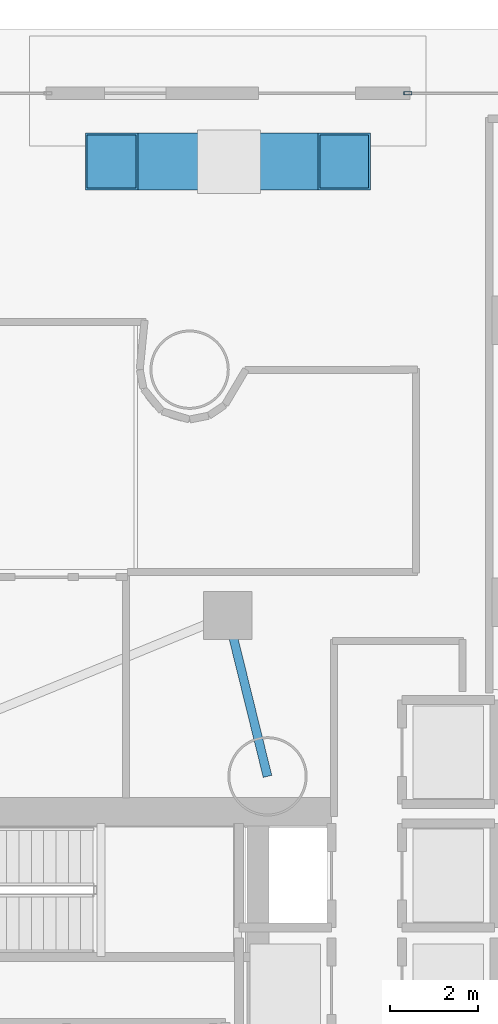
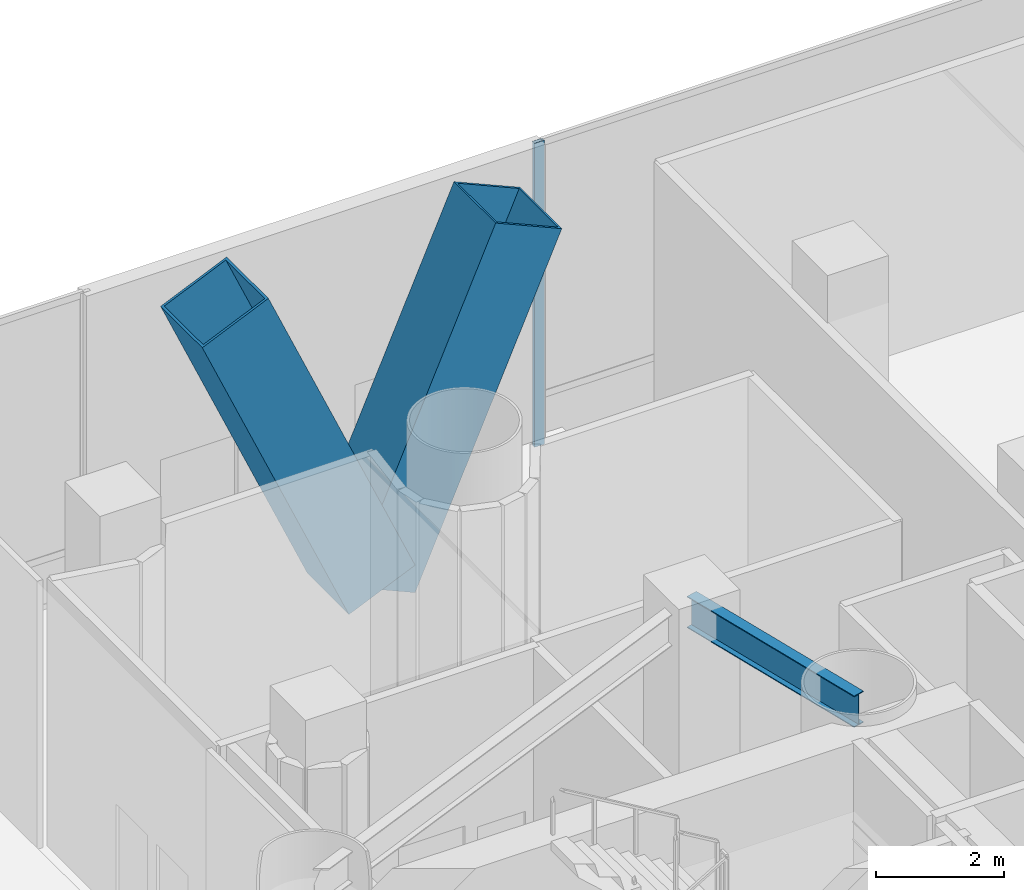
# One storey, part 19 of 40: 3 members, 1 beam, 1 element without a shape of its own.
"""IFC4 building model written with IfcOpenShell, lengths in metres."""

import ifcopenshell
import ifcopenshell.guid

model = None  # the IFC model being written
_history = None  # IfcOwnerHistory: only IFC2X3 demands one
_inside = {}  # id of a spatial element -> (the spatial element, [elements in it])
_under = {}  # id of a project, library or spatial element -> (it, [spatial elements below it])
_declared = {}  # id of a project -> (the project, [libraries it declares])
_typed = {}  # id of a type object -> (the type object, [elements of that type])
_made_of = {}  # id of a material, layer set ... -> (it, [elements and type objects made of it])


def new_model(schema):
    """Start an empty IFC model of exactly this schema.

    Asked for "IFC4X3", IfcOpenShell would pick the latest addendum, in which some entities
    have other attributes; the version numbers below select the first issue.
    IFC2X3 requires an IfcOwnerHistory on every rooted entity: one is made here for all.
    """
    global model, _history
    if schema == "IFC4X3":
        model = ifcopenshell.file(schema_version=(4, 3, 0, 0))
    else:
        model = ifcopenshell.file(schema=schema)
    _inside.clear()
    _under.clear()
    _declared.clear()
    _typed.clear()
    _made_of.clear()
    _history = None
    if model.schema == "IFC2X3":
        org = make("IfcOrganization", Name="unknown")
        user = make(
            "IfcPersonAndOrganization",
            ThePerson=make("IfcPerson", FamilyName="unknown"),
            TheOrganization=org,
        )
        app = make(
            "IfcApplication",
            ApplicationDeveloper=org,
            Version="unknown",
            ApplicationFullName="unknown",
            ApplicationIdentifier="unknown",
        )
        _history = make(
            "IfcOwnerHistory",
            OwningUser=user,
            OwningApplication=app,
            ChangeAction="ADDED",
            CreationDate=0,
        )
    return model


def make(cls, **values):
    """One entity of the class cls with the attributes given. An attribute that is None is left unset."""
    return model.create_entity(
        cls, **{name: value for name, value in values.items() if value is not None}
    )


def rooted(cls, **values):
    """An entity with a GlobalId (a new one), such as an element, a storey or a relation."""
    return make(cls, GlobalId=ifcopenshell.guid.new(), OwnerHistory=_history, **values)


def si_unit(unit_type, name, prefix=None):
    """IfcSIUnit, for example si_unit("LENGTHUNIT", "METRE", prefix="MILLI")."""
    return make("IfcSIUnit", UnitType=unit_type, Prefix=prefix, Name=name)


def assignment(units):
    """IfcUnitAssignment: the units of a project."""
    return None if units is None else make("IfcUnitAssignment", Units=units)


def point(xyz):
    """IfcCartesianPoint."""
    return None if xyz is None else make("IfcCartesianPoint", Coordinates=xyz)


def direction(xyz):
    """IfcDirection."""
    return None if xyz is None else make("IfcDirection", DirectionRatios=xyz)


def frame(location, z_axis=None, x_axis=None):
    """IfcAxis2Placement3D, a coordinate frame: its origin and axes. An axis left out is left unset."""
    return make(
        "IfcAxis2Placement3D",
        Location=point(location),
        Axis=direction(z_axis),
        RefDirection=direction(x_axis),
    )


def frame_2d(location, x_axis=None):
    """IfcAxis2Placement2D, a coordinate frame in the plane: its origin and x axis."""
    return make(
        "IfcAxis2Placement2D", Location=point(location), RefDirection=direction(x_axis)
    )


def origin():
    """The frame at (0, 0, 0) with its axes left unset."""
    return frame((0.0, 0.0, 0.0))


def origin_2d():
    """The frame at (0, 0) in the plane with its x axis left unset."""
    return frame_2d((0.0, 0.0))


def place(relative_to, where):
    """IfcLocalPlacement: puts the frame where relative to a parent placement (None: the world)."""
    return make(
        "IfcLocalPlacement", PlacementRelTo=relative_to, RelativePlacement=where
    )


def context(
    kind, dimensions, precision=None, world=None, true_north=None, identifier=None
):
    """IfcGeometricRepresentationContext, for example the 3D "Model" context."""
    return make(
        "IfcGeometricRepresentationContext",
        ContextIdentifier=identifier,
        ContextType=kind,
        CoordinateSpaceDimension=dimensions,
        Precision=precision,
        WorldCoordinateSystem=world,
        TrueNorth=true_north,
    )


def subcontext(parent, identifier, kind, view, scale=None):
    """IfcGeometricRepresentationSubContext, for example "Body" below "Model"."""
    return make(
        "IfcGeometricRepresentationSubContext",
        ContextIdentifier=identifier,
        ContextType=kind,
        ParentContext=parent,
        TargetScale=scale,
        TargetView=view,
    )


def project(units=None, contexts=None):
    """IfcProject with its units and contexts."""
    return rooted(
        "IfcProject",
        Name="project",
        RepresentationContexts=contexts,
        UnitsInContext=assignment(units),
    )


def spatial(cls, under=None, at=None, **own):
    """A site, building, storey or space (cls), placed at a placement, below another one or the project."""
    s = rooted(cls, ObjectPlacement=at, **own)
    if under is not None:
        _under.setdefault(under.id(), (under, []))[1].append(s)
    return s


def profile(cls, at=None, kind="AREA", **sizes):
    """A parametric profile (cls). Its sizes go by their IFC names, for example OverallWidth=200.0."""
    return make(cls, ProfileType=kind, Position=at, **sizes)


def hollow_rectangle(**sizes):
    """IfcRectangleHollowProfileDef."""
    return profile("IfcRectangleHollowProfileDef", **sizes)


def i_section(**sizes):
    """IfcIShapeProfileDef."""
    return profile("IfcIShapeProfileDef", **sizes)


def extrude(swept, where, along, depth):
    """IfcExtrudedAreaSolid: the profile swept, set in the frame where, extruded along a direction by depth."""
    return make(
        "IfcExtrudedAreaSolid",
        SweptArea=swept,
        Position=where,
        ExtrudedDirection=direction(along),
        Depth=depth,
    )


def shape(context_of_items, identifier, shape_type, items):
    """IfcShapeRepresentation: the items that make up one representation, for example the "Body"."""
    return make(
        "IfcShapeRepresentation",
        ContextOfItems=context_of_items,
        RepresentationIdentifier=identifier,
        RepresentationType=shape_type,
        Items=items,
    )


def material(Name=None, Category=None):
    """IfcMaterial."""
    return make("IfcMaterial", Name=Name, Category=Category)


def layer(
    of_material, thickness, ventilated=None, Name=None, Category=None, Priority=None
):
    """IfcMaterialLayer: one layer of a wall or slab, of a material (None: an air gap)."""
    return make(
        "IfcMaterialLayer",
        Material=of_material,
        LayerThickness=thickness,
        IsVentilated=ventilated,
        Name=Name,
        Category=Category,
        Priority=Priority,
    )


def layer_set(layers, Name=None):
    """IfcMaterialLayerSet."""
    return make("IfcMaterialLayerSet", MaterialLayers=layers, LayerSetName=Name)


def material_profile(
    of_material, cross_section, Name=None, Category=None, Priority=None
):
    """IfcMaterialProfile: a cross section and its material."""
    return make(
        "IfcMaterialProfile",
        Name=Name,
        Material=of_material,
        Profile=cross_section,
        Priority=Priority,
        Category=Category,
    )


def profile_set(profiles, Name=None, composite=None):
    """IfcMaterialProfileSet."""
    return make(
        "IfcMaterialProfileSet",
        Name=Name,
        MaterialProfiles=profiles,
        CompositeProfile=composite,
    )


def made_of(thing, what):
    """Note that an element or type object is made of a material, layer set ...; save() writes the relation."""
    if what is not None:
        _made_of.setdefault(what.id(), (what, []))[1].append(thing)
    return thing


def type_object(cls, material=None, **own):
    """A type object (cls), such as IfcWallType, which elements share."""
    return made_of(rooted(cls, **own), material)


def element(
    cls,
    number,
    at=None,
    inside=None,
    cuts=None,
    type_object=None,
    material=None,
    context=None,
    identifier="Body",
    shape_type=None,
    held_by="IfcProductDefinitionShape",
    body=None,
    shapes=None,
    **own,
):
    """One element of the class cls, such as IfcWall. Its Tag is "e" and its number.

    at: its placement. inside: the storey or other place that contains it. cuts: it is an
    opening in that element (IfcRelVoidsElement). A single representation is given by context,
    identifier, shape_type and body (its items); several are given by shapes. held_by: the class
    of the entity that holds the representations. save() writes the other relations.
    """
    e = rooted(cls, Tag="e%d" % number, ObjectPlacement=at, **own)
    if body is not None:
        shapes = [shape(context, identifier, shape_type, body)]
    if shapes is not None:
        e.Representation = make(held_by, Representations=shapes)
    if inside is not None:
        _inside.setdefault(inside.id(), (inside, []))[1].append(e)
    if cuts is not None:
        rooted(
            "IfcRelVoidsElement", RelatingBuildingElement=cuts, RelatedOpeningElement=e
        )
    if type_object is not None:
        _typed.setdefault(type_object.id(), (type_object, []))[1].append(e)
    return made_of(e, material)


def aggregate(whole, parts):
    """IfcRelAggregates: a whole, such as a stair, and the parts it consists of."""
    return rooted("IfcRelAggregates", RelatingObject=whole, RelatedObjects=parts)


def save(model, path):
    """Write the relations noted so far, then the file.

    IfcRelAggregates (storeys below a building ...), IfcRelContainedInSpatialStructure (elements
    in a storey), IfcRelDefinesByType, IfcRelAssociatesMaterial and IfcRelDeclares: one each for
    every whole, place, type object, material and project.
    """
    for whole, parts in _under.values():
        aggregate(whole, parts)
    for where, things in _inside.values():
        rooted(
            "IfcRelContainedInSpatialStructure",
            RelatedElements=things,
            RelatingStructure=where,
        )
    for kind, things in _typed.values():
        rooted("IfcRelDefinesByType", RelatedObjects=things, RelatingType=kind)
    for what, things in _made_of.values():
        rooted("IfcRelAssociatesMaterial", RelatedObjects=things, RelatingMaterial=what)
    for by, libraries in _declared.values():
        rooted("IfcRelDeclares", RelatingContext=by, RelatedDefinitions=libraries)
    model.write(path)


model = new_model("IFC4")

# Units and contexts
model_context = context("Model", 3, precision=1e-05, world=origin(), true_north=direction((0.0, 1.0)))
body_context = subcontext(model_context, "Body", "Model", "MODEL_VIEW")
ifc_project = project(units=[si_unit("LENGTHUNIT", "METRE"), si_unit("AREAUNIT", "SQUARE_METRE"), si_unit("VOLUMEUNIT", "CUBIC_METRE"), si_unit("PLANEANGLEUNIT", "RADIAN"), si_unit("MASSUNIT", "GRAM", prefix="KILO")], contexts=[model_context])

# Site, building, storey
site_placement = place(None, origin())
site = spatial("IfcSite", under=ifc_project, at=site_placement, CompositionType="ELEMENT")
building_placement = place(site_placement, origin())
building = spatial("IfcBuilding", under=site, at=building_placement, Name="Qianvela Tower", CompositionType="ELEMENT")
storey_placement = place(building_placement, origin())
storey = spatial("IfcBuildingStorey", under=building, at=storey_placement, Name="L00", CompositionType="ELEMENT", Elevation=0.0)

# Beam
ifc_material_1 = material(Name="Steel Q355B", Category="steel")
ifc_material_profile_1 = material_profile(ifc_material_1, i_section(OverallWidth=0.199951171875, OverallDepth=0.60009765625, WebThickness=0.010986328125, FlangeThickness=0.01708984375, at=origin_2d()), Name="HN600x200x11x17")
ifc_profile_set_1 = profile_set([ifc_material_profile_1], Name="Steel Q355B")
beam_type = type_object("IfcBeamType", Name="BM-HN600-GIRD", PredefinedType="BEAM", material=ifc_profile_set_1)
beam_placement = place(storey_placement, frame((38.39990234375, 33.550048828125, 5.47802734375), z_axis=(-0.239386436846, 0.970924370821, 0.0), x_axis=(-0.970924370821, -0.239386436846, 0.0)))
element("IfcBeam", 1, at=beam_placement, inside=storey, type_object=beam_type, Name="L00 Core Tie Girder 39", PredefinedType="BEAM", context=body_context, shape_type="SweptSolid", body=[
    extrude(i_section(OverallWidth=0.199951171875, OverallDepth=0.60009765625, WebThickness=0.010986328125, FlangeThickness=0.01708984375, at=origin_2d()), origin(), (0.0, 0.0, 1.0), 3.75927734375),
])

# Curtain wall, member
ifc_material_2 = material(Name="Anodised Architectural Aluminium and Low-E Glass", Category="aluminium")
ifc_layer = layer(ifc_material_2, 0.199951171875)
ifc_layer_set = layer_set([ifc_layer], Name="Anodised Architectural Aluminium and Low-E Glass")
curtain_wall_type = type_object("IfcCurtainWallType", Name="CW-CONCOURSE", PredefinedType="USERDEFINED", material=ifc_layer_set)
curtain_wall_placement = place(storey_placement, origin())
curtain_wall = element("IfcCurtainWall", 2, at=curtain_wall_placement, inside=storey, type_object=curtain_wall_type, Name="L00 CW-CONCOURSE Curtain Wall 05A", ObjectType="CURTAIN_WALL_SYSTEM", PredefinedType="USERDEFINED")
ifc_material_3 = material(Name="Anodised Architectural Aluminium 6063-T6", Category="aluminium")
ifc_material_profile_2 = material_profile(ifc_material_3, hollow_rectangle(XDim=0.070068359375, YDim=0.179931640625, WallThickness=0.0048828125, at=origin_2d()), Name="ALU-MULL-70x180")
ifc_profile_set_2 = profile_set([ifc_material_profile_2], Name="Anodised Architectural Aluminium 6063-T6")
member_type_1 = type_object("IfcMemberType", Name="CW-CONCOURSE-MULL", PredefinedType="MULLION", material=ifc_profile_set_2)
member_placement = place(storey_placement, frame((41.5849609375, 49.050048828125, 0.0), z_axis=(0.0, 0.0, 1.0), x_axis=(0.0, -1.0, 0.0)))
member = element("IfcMember", 3, at=member_placement, type_object=member_type_1, Name="CW-1 mullion 4", PredefinedType="MULLION", context=body_context, shape_type="SweptSolid", body=[
    extrude(hollow_rectangle(XDim=0.070068359375, YDim=0.179931640625, WallThickness=0.0048828125, at=origin_2d()), origin(), (0.0, 0.0, 1.0), 5.780029296875),
])
aggregate(curtain_wall, [member])

# Members
ifc_material_4 = material(Name="Steel Q420GJC", Category="steel")
ifc_material_profile_3 = material_profile(ifc_material_4, hollow_rectangle(XDim=1.300048828125, YDim=1.300048828125, WallThickness=0.044921875, at=origin_2d()), Name="VBOX-1300x1300x45")
ifc_profile_set_3 = profile_set([ifc_material_profile_3], Name="Steel Q420GJC")
member_type_2 = type_object("IfcMemberType", Name="MBR-VCOL-1300", PredefinedType="POST", material=ifc_profile_set_3)
for number, where, z_axis, x_axis, name in (
    (4, (37.5, 47.5, 0.0), (-0.402662474024, 0.0, 0.91534853035), (0.0, -1.0, 0.0), "L00 Concourse Inclined V-Column VC-N2 Leg L"),
    (5, (37.5, 47.5, 0.0), (0.402662474024, 0.0, 0.91534853035), (0.0, 1.0, 0.0), "L00 Concourse Inclined V-Column VC-N2 Leg R"),
):
    element("IfcMember", number, at=place(storey_placement, frame(where, z_axis=z_axis, x_axis=x_axis)), inside=storey, type_object=member_type_2, Name=name, PredefinedType="POST", context=body_context, shape_type="SweptSolid", body=[
        extrude(hollow_rectangle(XDim=1.300048828125, YDim=1.300048828125, WallThickness=0.044921875, at=origin_2d()), origin(), (0.0, 0.0, 1.0), 6.554931640625),
    ])

save(model, "model.ifc")
